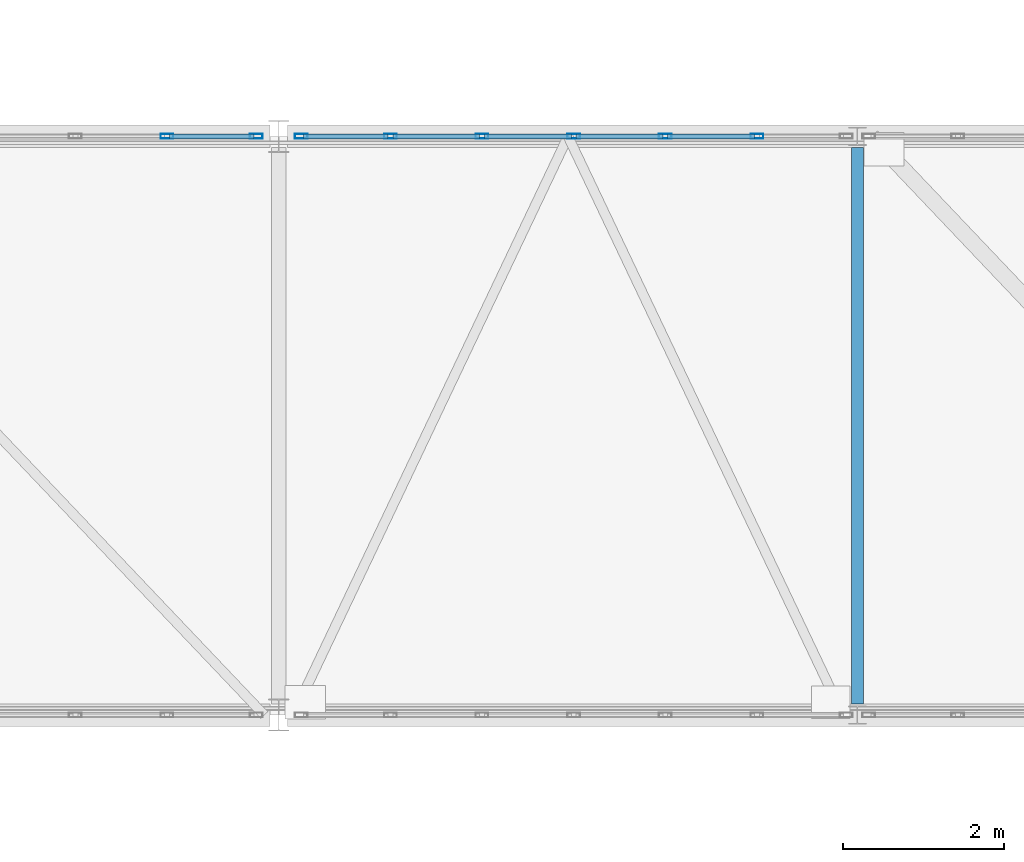
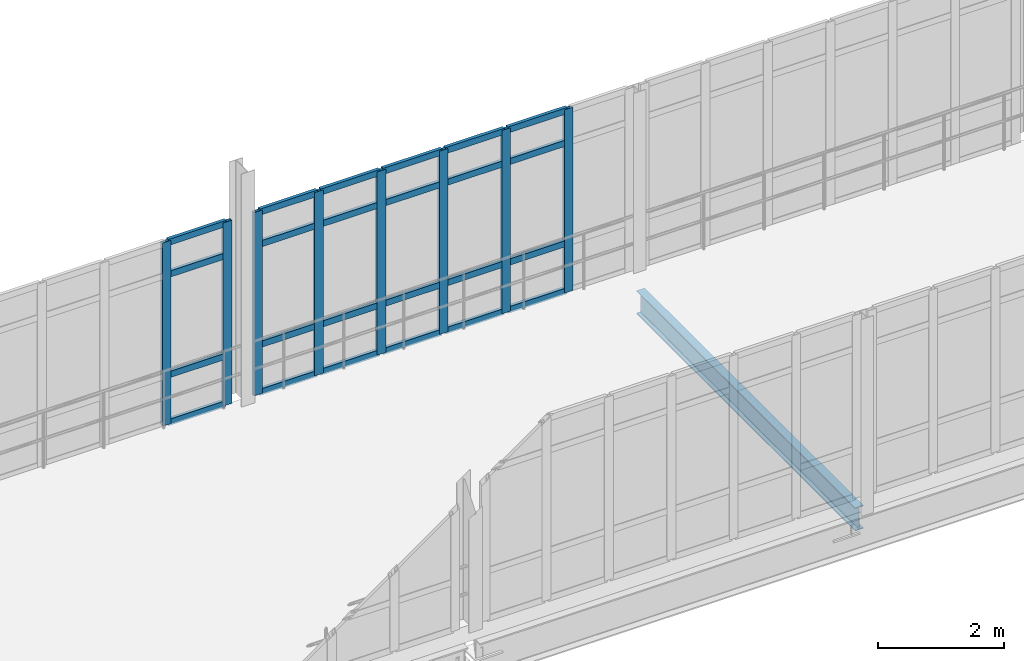
# One storey, part 47 of 116: 32 members, 1 beam, 2 elements without a shape of their own.
"""IFC4 building model written with IfcOpenShell, lengths in metres."""

import ifcopenshell
import ifcopenshell.guid

model = None  # the IFC model being written
_history = None  # IfcOwnerHistory: only IFC2X3 demands one
_inside = {}  # id of a spatial element -> (the spatial element, [elements in it])
_under = {}  # id of a project, library or spatial element -> (it, [spatial elements below it])
_declared = {}  # id of a project -> (the project, [libraries it declares])
_typed = {}  # id of a type object -> (the type object, [elements of that type])
_made_of = {}  # id of a material, layer set ... -> (it, [elements and type objects made of it])


def new_model(schema):
    """Start an empty IFC model of exactly this schema.

    Asked for "IFC4X3", IfcOpenShell would pick the latest addendum, in which some entities
    have other attributes; the version numbers below select the first issue.
    IFC2X3 requires an IfcOwnerHistory on every rooted entity: one is made here for all.
    """
    global model, _history
    if schema == "IFC4X3":
        model = ifcopenshell.file(schema_version=(4, 3, 0, 0))
    else:
        model = ifcopenshell.file(schema=schema)
    _inside.clear()
    _under.clear()
    _declared.clear()
    _typed.clear()
    _made_of.clear()
    _history = None
    if model.schema == "IFC2X3":
        org = make("IfcOrganization", Name="unknown")
        user = make(
            "IfcPersonAndOrganization",
            ThePerson=make("IfcPerson", FamilyName="unknown"),
            TheOrganization=org,
        )
        app = make(
            "IfcApplication",
            ApplicationDeveloper=org,
            Version="unknown",
            ApplicationFullName="unknown",
            ApplicationIdentifier="unknown",
        )
        _history = make(
            "IfcOwnerHistory",
            OwningUser=user,
            OwningApplication=app,
            ChangeAction="ADDED",
            CreationDate=0,
        )
    return model


def make(cls, **values):
    """One entity of the class cls with the attributes given. An attribute that is None is left unset."""
    return model.create_entity(
        cls, **{name: value for name, value in values.items() if value is not None}
    )


def rooted(cls, **values):
    """An entity with a GlobalId (a new one), such as an element, a storey or a relation."""
    return make(cls, GlobalId=ifcopenshell.guid.new(), OwnerHistory=_history, **values)


def si_unit(unit_type, name, prefix=None):
    """IfcSIUnit, for example si_unit("LENGTHUNIT", "METRE", prefix="MILLI")."""
    return make("IfcSIUnit", UnitType=unit_type, Prefix=prefix, Name=name)


def assignment(units):
    """IfcUnitAssignment: the units of a project."""
    return None if units is None else make("IfcUnitAssignment", Units=units)


def point(xyz):
    """IfcCartesianPoint."""
    return None if xyz is None else make("IfcCartesianPoint", Coordinates=xyz)


def direction(xyz):
    """IfcDirection."""
    return None if xyz is None else make("IfcDirection", DirectionRatios=xyz)


def frame(location, z_axis=None, x_axis=None):
    """IfcAxis2Placement3D, a coordinate frame: its origin and axes. An axis left out is left unset."""
    return make(
        "IfcAxis2Placement3D",
        Location=point(location),
        Axis=direction(z_axis),
        RefDirection=direction(x_axis),
    )


def frame_2d(location, x_axis=None):
    """IfcAxis2Placement2D, a coordinate frame in the plane: its origin and x axis."""
    return make(
        "IfcAxis2Placement2D", Location=point(location), RefDirection=direction(x_axis)
    )


def origin():
    """The frame at (0, 0, 0) with its axes left unset."""
    return frame((0.0, 0.0, 0.0))


def origin_2d():
    """The frame at (0, 0) in the plane with its x axis left unset."""
    return frame_2d((0.0, 0.0))


def place(relative_to, where):
    """IfcLocalPlacement: puts the frame where relative to a parent placement (None: the world)."""
    return make(
        "IfcLocalPlacement", PlacementRelTo=relative_to, RelativePlacement=where
    )


def context(
    kind, dimensions, precision=None, world=None, true_north=None, identifier=None
):
    """IfcGeometricRepresentationContext, for example the 3D "Model" context."""
    return make(
        "IfcGeometricRepresentationContext",
        ContextIdentifier=identifier,
        ContextType=kind,
        CoordinateSpaceDimension=dimensions,
        Precision=precision,
        WorldCoordinateSystem=world,
        TrueNorth=true_north,
    )


def subcontext(parent, identifier, kind, view, scale=None):
    """IfcGeometricRepresentationSubContext, for example "Body" below "Model"."""
    return make(
        "IfcGeometricRepresentationSubContext",
        ContextIdentifier=identifier,
        ContextType=kind,
        ParentContext=parent,
        TargetScale=scale,
        TargetView=view,
    )


def project(units=None, contexts=None):
    """IfcProject with its units and contexts."""
    return rooted(
        "IfcProject",
        Name="project",
        RepresentationContexts=contexts,
        UnitsInContext=assignment(units),
    )


def spatial(cls, under=None, at=None, **own):
    """A site, building, storey or space (cls), placed at a placement, below another one or the project."""
    s = rooted(cls, ObjectPlacement=at, **own)
    if under is not None:
        _under.setdefault(under.id(), (under, []))[1].append(s)
    return s


def profile(cls, at=None, kind="AREA", **sizes):
    """A parametric profile (cls). Its sizes go by their IFC names, for example OverallWidth=200.0."""
    return make(cls, ProfileType=kind, Position=at, **sizes)


def hollow_rectangle(**sizes):
    """IfcRectangleHollowProfileDef."""
    return profile("IfcRectangleHollowProfileDef", **sizes)


def i_section(**sizes):
    """IfcIShapeProfileDef."""
    return profile("IfcIShapeProfileDef", **sizes)


def extrude(swept, where, along, depth):
    """IfcExtrudedAreaSolid: the profile swept, set in the frame where, extruded along a direction by depth."""
    return make(
        "IfcExtrudedAreaSolid",
        SweptArea=swept,
        Position=where,
        ExtrudedDirection=direction(along),
        Depth=depth,
    )


def shape(context_of_items, identifier, shape_type, items):
    """IfcShapeRepresentation: the items that make up one representation, for example the "Body"."""
    return make(
        "IfcShapeRepresentation",
        ContextOfItems=context_of_items,
        RepresentationIdentifier=identifier,
        RepresentationType=shape_type,
        Items=items,
    )


def material(Name=None, Category=None):
    """IfcMaterial."""
    return make("IfcMaterial", Name=Name, Category=Category)


def material_profile(
    of_material, cross_section, Name=None, Category=None, Priority=None
):
    """IfcMaterialProfile: a cross section and its material."""
    return make(
        "IfcMaterialProfile",
        Name=Name,
        Material=of_material,
        Profile=cross_section,
        Priority=Priority,
        Category=Category,
    )


def profile_set(profiles, Name=None, composite=None):
    """IfcMaterialProfileSet."""
    return make(
        "IfcMaterialProfileSet",
        Name=Name,
        MaterialProfiles=profiles,
        CompositeProfile=composite,
    )


def made_of(thing, what):
    """Note that an element or type object is made of a material, layer set ...; save() writes the relation."""
    if what is not None:
        _made_of.setdefault(what.id(), (what, []))[1].append(thing)
    return thing


def type_object(cls, material=None, **own):
    """A type object (cls), such as IfcWallType, which elements share."""
    return made_of(rooted(cls, **own), material)


def element(
    cls,
    number,
    at=None,
    inside=None,
    cuts=None,
    type_object=None,
    material=None,
    context=None,
    identifier="Body",
    shape_type=None,
    held_by="IfcProductDefinitionShape",
    body=None,
    shapes=None,
    **own,
):
    """One element of the class cls, such as IfcWall. Its Tag is "e" and its number.

    at: its placement. inside: the storey or other place that contains it. cuts: it is an
    opening in that element (IfcRelVoidsElement). A single representation is given by context,
    identifier, shape_type and body (its items); several are given by shapes. held_by: the class
    of the entity that holds the representations. save() writes the other relations.
    """
    e = rooted(cls, Tag="e%d" % number, ObjectPlacement=at, **own)
    if body is not None:
        shapes = [shape(context, identifier, shape_type, body)]
    if shapes is not None:
        e.Representation = make(held_by, Representations=shapes)
    if inside is not None:
        _inside.setdefault(inside.id(), (inside, []))[1].append(e)
    if cuts is not None:
        rooted(
            "IfcRelVoidsElement", RelatingBuildingElement=cuts, RelatedOpeningElement=e
        )
    if type_object is not None:
        _typed.setdefault(type_object.id(), (type_object, []))[1].append(e)
    return made_of(e, material)


def aggregate(whole, parts):
    """IfcRelAggregates: a whole, such as a stair, and the parts it consists of."""
    return rooted("IfcRelAggregates", RelatingObject=whole, RelatedObjects=parts)


def save(model, path):
    """Write the relations noted so far, then the file.

    IfcRelAggregates (storeys below a building ...), IfcRelContainedInSpatialStructure (elements
    in a storey), IfcRelDefinesByType, IfcRelAssociatesMaterial and IfcRelDeclares: one each for
    every whole, place, type object, material and project.
    """
    for whole, parts in _under.values():
        aggregate(whole, parts)
    for where, things in _inside.values():
        rooted(
            "IfcRelContainedInSpatialStructure",
            RelatedElements=things,
            RelatingStructure=where,
        )
    for kind, things in _typed.values():
        rooted("IfcRelDefinesByType", RelatedObjects=things, RelatingType=kind)
    for what, things in _made_of.values():
        rooted("IfcRelAssociatesMaterial", RelatedObjects=things, RelatingMaterial=what)
    for by, libraries in _declared.values():
        rooted("IfcRelDeclares", RelatingContext=by, RelatedDefinitions=libraries)
    model.write(path)


model = new_model("IFC4")

# Units and contexts
model_context = context("Model", 3, precision=1e-05, world=origin(), true_north=direction((0.0, 1.0)))
body_context = subcontext(model_context, "Body", "Model", "MODEL_VIEW")
ifc_project = project(units=[si_unit("LENGTHUNIT", "METRE"), si_unit("AREAUNIT", "SQUARE_METRE"), si_unit("VOLUMEUNIT", "CUBIC_METRE"), si_unit("PLANEANGLEUNIT", "RADIAN"), si_unit("MASSUNIT", "GRAM", prefix="KILO")], contexts=[model_context])

# Site, building, storey
site_placement = place(None, origin())
site = spatial("IfcSite", under=ifc_project, at=site_placement, CompositionType="ELEMENT")
building_placement = place(site_placement, origin())
building = spatial("IfcBuilding", under=site, at=building_placement, Name="Kalluvel Institute of Natural Sciences", CompositionType="ELEMENT")
storey_placement = place(building_placement, frame((0.0, 0.0, 14.39990234375)))
storey = spatial("IfcBuildingStorey", under=building, at=storey_placement, Name="L03", CompositionType="ELEMENT", Elevation=14.39990234375)

# Beam
ifc_material_1 = material(Name="Steel E350 Grade 350", Category="steel")
ifc_material_profile_1 = material_profile(ifc_material_1, i_section(OverallWidth=0.14990234375, OverallDepth=0.449951171875, WebThickness=0.009521484375, FlangeThickness=0.017333984375, FilletRadius=0.014892578125, at=origin_2d()), Name="ISMB 450")
ifc_profile_set_1 = profile_set([ifc_material_profile_1], Name="Steel E350 Grade 350")
beam_type = type_object("IfcBeamType", Name="BM-ISMB450", PredefinedType="BEAM", material=ifc_profile_set_1)
beam_placement = place(storey_placement, frame((86.0, 28.5400390625, -0.544921875), z_axis=(0.0, 1.0, 0.0), x_axis=(-1.0, 0.0, 0.0)))
element("IfcBeam", 1, at=beam_placement, inside=storey, type_object=beam_type, Name="L03 link bridge cross girder 69", PredefinedType="BEAM", context=body_context, shape_type="SweptSolid", body=[
    extrude(i_section(OverallWidth=0.14990234375, OverallDepth=0.449951171875, WebThickness=0.009521484375, FlangeThickness=0.017333984375, FilletRadius=0.014892578125, at=origin_2d()), origin(), (0.0, 0.0, 1.0), 6.919921875),
])

# Curtain wall, members
ifc_material_2 = material(Name="Aluminium AW-6063 T6", Category="aluminium")
curtain_wall_type = type_object("IfcCurtainWallType", Name="CW-BRG-45", PredefinedType="USERDEFINED", material=ifc_material_2)
curtain_wall_1_placement = place(storey_placement, origin())
curtain_wall_1 = element("IfcCurtainWall", 2, at=curtain_wall_1_placement, inside=storey, type_object=curtain_wall_type, Name="L03 Gothic lancet curtain wall CWA-L03-X717-Y356", ObjectType="UNITISED LANCET FACADE", PredefinedType="USERDEFINED")
ifc_material_profile_2 = material_profile(ifc_material_2, hollow_rectangle(XDim=0.06005859375, YDim=0.159912109375, WallThickness=0.00390625, at=origin_2d()), Name="CWM 60x160")
ifc_profile_set_2 = profile_set([ifc_material_profile_2], Name="Aluminium AW-6063 T6")
member_type_1 = type_object("IfcMemberType", Name="CWM-60x160", PredefinedType="MULLION", material=ifc_profile_set_2)
member_1_placement = place(storey_placement, frame((77.409912109375, 35.60009765625, 0.0), z_axis=(0.0, 0.0, 1.0), x_axis=(0.0, 1.0, 0.0)))
member_1 = element("IfcMember", 3, at=member_1_placement, type_object=member_type_1, Name="CW-07 mullion 6", PredefinedType="MULLION", context=body_context, shape_type="SweptSolid", body=[
    extrude(hollow_rectangle(XDim=0.06005859375, YDim=0.159912109375, WallThickness=0.00390625, at=origin_2d()), origin(), (0.0, 0.0, 1.0), 3.5400390625),
])
member_2_placement = place(storey_placement, frame((78.52001953125, 35.60009765625, 0.0), z_axis=(0.0, 0.0, 1.0), x_axis=(0.0, 1.0, 0.0)))
member_2 = element("IfcMember", 4, at=member_2_placement, type_object=member_type_1, Name="CW-07 mullion 7", PredefinedType="MULLION", context=body_context, shape_type="SweptSolid", body=[
    extrude(hollow_rectangle(XDim=0.06005859375, YDim=0.159912109375, WallThickness=0.00390625, at=origin_2d()), origin(), (0.0, 0.0, 1.0), 3.5400390625),
])

curtain_wall_2_placement = place(storey_placement, origin())
curtain_wall_2 = element("IfcCurtainWall", 5, at=curtain_wall_2_placement, inside=storey, type_object=curtain_wall_type, Name="L03 Gothic lancet curtain wall CWA-L03-X790-Y356", ObjectType="UNITISED LANCET FACADE", PredefinedType="USERDEFINED")
member_3_placement = place(storey_placement, frame((79.080078125, 35.60009765625, 0.0), z_axis=(0.0, 0.0, 1.0), x_axis=(0.0, 1.0, 0.0)))
member_3 = element("IfcMember", 6, at=member_3_placement, type_object=member_type_1, Name="CW-07 mullion 1", PredefinedType="MULLION", context=body_context, shape_type="SweptSolid", body=[
    extrude(hollow_rectangle(XDim=0.06005859375, YDim=0.159912109375, WallThickness=0.00390625, at=origin_2d()), origin(), (0.0, 0.0, 1.0), 3.5400390625),
])
member_4_placement = place(storey_placement, frame((80.18994140625, 35.60009765625, 0.0), z_axis=(0.0, 0.0, 1.0), x_axis=(0.0, 1.0, 0.0)))
member_4 = element("IfcMember", 7, at=member_4_placement, type_object=member_type_1, Name="CW-07 mullion 2", PredefinedType="MULLION", context=body_context, shape_type="SweptSolid", body=[
    extrude(hollow_rectangle(XDim=0.06005859375, YDim=0.159912109375, WallThickness=0.00390625, at=origin_2d()), origin(), (0.0, 0.0, 1.0), 3.5400390625),
])
member_5_placement = place(storey_placement, frame((81.330078125, 35.60009765625, 0.0), z_axis=(0.0, 0.0, 1.0), x_axis=(0.0, 1.0, 0.0)))
member_5 = element("IfcMember", 8, at=member_5_placement, type_object=member_type_1, Name="CW-07 mullion 3", PredefinedType="MULLION", context=body_context, shape_type="SweptSolid", body=[
    extrude(hollow_rectangle(XDim=0.06005859375, YDim=0.159912109375, WallThickness=0.00390625, at=origin_2d()), origin(), (0.0, 0.0, 1.0), 3.5400390625),
])
member_6_placement = place(storey_placement, frame((82.469970703125, 35.60009765625, 0.0), z_axis=(0.0, 0.0, 1.0), x_axis=(0.0, 1.0, 0.0)))
member_6 = element("IfcMember", 9, at=member_6_placement, type_object=member_type_1, Name="CW-07 mullion 4", PredefinedType="MULLION", context=body_context, shape_type="SweptSolid", body=[
    extrude(hollow_rectangle(XDim=0.06005859375, YDim=0.159912109375, WallThickness=0.00390625, at=origin_2d()), origin(), (0.0, 0.0, 1.0), 3.5400390625),
])
member_7_placement = place(storey_placement, frame((83.610107421875, 35.60009765625, 0.0), z_axis=(0.0, 0.0, 1.0), x_axis=(0.0, 1.0, 0.0)))
member_7 = element("IfcMember", 10, at=member_7_placement, type_object=member_type_1, Name="CW-07 mullion 5", PredefinedType="MULLION", context=body_context, shape_type="SweptSolid", body=[
    extrude(hollow_rectangle(XDim=0.06005859375, YDim=0.159912109375, WallThickness=0.00390625, at=origin_2d()), origin(), (0.0, 0.0, 1.0), 3.5400390625),
])
member_8_placement = place(storey_placement, frame((84.75, 35.60009765625, 0.0), z_axis=(0.0, 0.0, 1.0), x_axis=(0.0, 1.0, 0.0)))
member_8 = element("IfcMember", 11, at=member_8_placement, type_object=member_type_1, Name="CW-07 mullion 6", PredefinedType="MULLION", context=body_context, shape_type="SweptSolid", body=[
    extrude(hollow_rectangle(XDim=0.06005859375, YDim=0.159912109375, WallThickness=0.00390625, at=origin_2d()), origin(), (0.0, 0.0, 1.0), 3.5400390625),
])

# Member
ifc_material_profile_3 = material_profile(ifc_material_2, hollow_rectangle(XDim=0.06005859375, YDim=0.1201171875, WallThickness=0.00390625, at=origin_2d()), Name="CWT 60x120")
ifc_profile_set_3 = profile_set([ifc_material_profile_3], Name="Aluminium AW-6063 T6")
member_type_2 = type_object("IfcMemberType", Name="CWT-60x120", PredefinedType="USERDEFINED", material=ifc_profile_set_3)
member_9_placement = place(storey_placement, frame((77.43994140625, 35.60009765625, 0.030029296875), z_axis=(1.0, 0.0, 0.0), x_axis=(0.0, 1.0, 0.0)))
member_9 = element("IfcMember", 12, at=member_9_placement, type_object=member_type_2, Name="CW-07 transom 6.1", ObjectType="TRANSOM", PredefinedType="USERDEFINED", context=body_context, shape_type="SweptSolid", body=[
    extrude(hollow_rectangle(XDim=0.06005859375, YDim=0.1201171875, WallThickness=0.00390625, at=origin_2d()), origin(), (0.0, 0.0, 1.0), 1.050048828125),
])

member_10_placement = place(storey_placement, frame((77.43994140625, 35.60009765625, 0.9501953125), z_axis=(1.0, 0.0, 0.0), x_axis=(0.0, 1.0, 0.0)))
member_10 = element("IfcMember", 13, at=member_10_placement, type_object=member_type_2, Name="CW-07 transom 6.2", ObjectType="TRANSOM", PredefinedType="USERDEFINED", context=body_context, shape_type="SweptSolid", body=[
    extrude(hollow_rectangle(XDim=0.06005859375, YDim=0.1201171875, WallThickness=0.00390625, at=origin_2d()), origin(), (0.0, 0.0, 1.0), 1.050048828125),
])

member_11_placement = place(storey_placement, frame((77.43994140625, 35.60009765625, 2.89013671875), z_axis=(1.0, 0.0, 0.0), x_axis=(0.0, 1.0, 0.0)))
member_11 = element("IfcMember", 14, at=member_11_placement, type_object=member_type_2, Name="CW-07 transom 6.3", ObjectType="TRANSOM", PredefinedType="USERDEFINED", context=body_context, shape_type="SweptSolid", body=[
    extrude(hollow_rectangle(XDim=0.06005859375, YDim=0.1201171875, WallThickness=0.00390625, at=origin_2d()), origin(), (0.0, 0.0, 1.0), 1.050048828125),
])

member_12_placement = place(storey_placement, frame((77.43994140625, 35.60009765625, 3.510009765625), z_axis=(1.0, 0.0, 0.0), x_axis=(0.0, 1.0, 0.0)))
member_12 = element("IfcMember", 15, at=member_12_placement, type_object=member_type_2, Name="CW-07 transom 6.4", ObjectType="TRANSOM", PredefinedType="USERDEFINED", context=body_context, shape_type="SweptSolid", body=[
    extrude(hollow_rectangle(XDim=0.06005859375, YDim=0.1201171875, WallThickness=0.00390625, at=origin_2d()), origin(), (0.0, 0.0, 1.0), 1.050048828125),
])

aggregate(curtain_wall_1, [member_1, member_2, member_9, member_10, member_11, member_12])

member_13_placement = place(storey_placement, frame((79.110107421875, 35.60009765625, 0.030029296875), z_axis=(1.0, 0.0, 0.0), x_axis=(0.0, 1.0, 0.0)))
member_13 = element("IfcMember", 16, at=member_13_placement, type_object=member_type_2, Name="CW-07 transom 1.1", ObjectType="TRANSOM", PredefinedType="USERDEFINED", context=body_context, shape_type="SweptSolid", body=[
    extrude(hollow_rectangle(XDim=0.06005859375, YDim=0.1201171875, WallThickness=0.00390625, at=origin_2d()), origin(), (0.0, 0.0, 1.0), 1.0498046875),
])

member_14_placement = place(storey_placement, frame((79.110107421875, 35.60009765625, 0.9501953125), z_axis=(1.0, 0.0, 0.0), x_axis=(0.0, 1.0, 0.0)))
member_14 = element("IfcMember", 17, at=member_14_placement, type_object=member_type_2, Name="CW-07 transom 1.2", ObjectType="TRANSOM", PredefinedType="USERDEFINED", context=body_context, shape_type="SweptSolid", body=[
    extrude(hollow_rectangle(XDim=0.06005859375, YDim=0.1201171875, WallThickness=0.00390625, at=origin_2d()), origin(), (0.0, 0.0, 1.0), 1.0498046875),
])

member_15_placement = place(storey_placement, frame((79.110107421875, 35.60009765625, 2.89013671875), z_axis=(1.0, 0.0, 0.0), x_axis=(0.0, 1.0, 0.0)))
member_15 = element("IfcMember", 18, at=member_15_placement, type_object=member_type_2, Name="CW-07 transom 1.3", ObjectType="TRANSOM", PredefinedType="USERDEFINED", context=body_context, shape_type="SweptSolid", body=[
    extrude(hollow_rectangle(XDim=0.06005859375, YDim=0.1201171875, WallThickness=0.00390625, at=origin_2d()), origin(), (0.0, 0.0, 1.0), 1.0498046875),
])

member_16_placement = place(storey_placement, frame((79.110107421875, 35.60009765625, 3.510009765625), z_axis=(1.0, 0.0, 0.0), x_axis=(0.0, 1.0, 0.0)))
member_16 = element("IfcMember", 19, at=member_16_placement, type_object=member_type_2, Name="CW-07 transom 1.4", ObjectType="TRANSOM", PredefinedType="USERDEFINED", context=body_context, shape_type="SweptSolid", body=[
    extrude(hollow_rectangle(XDim=0.06005859375, YDim=0.1201171875, WallThickness=0.00390625, at=origin_2d()), origin(), (0.0, 0.0, 1.0), 1.0498046875),
])

member_17_placement = place(storey_placement, frame((80.219970703125, 35.60009765625, 0.030029296875), z_axis=(1.0, 0.0, 0.0), x_axis=(0.0, 1.0, 0.0)))
member_17 = element("IfcMember", 20, at=member_17_placement, type_object=member_type_2, Name="CW-07 transom 2.1", ObjectType="TRANSOM", PredefinedType="USERDEFINED", context=body_context, shape_type="SweptSolid", body=[
    extrude(hollow_rectangle(XDim=0.06005859375, YDim=0.1201171875, WallThickness=0.00390625, at=origin_2d()), origin(), (0.0, 0.0, 1.0), 1.080078125),
])

member_18_placement = place(storey_placement, frame((80.219970703125, 35.60009765625, 0.9501953125), z_axis=(1.0, 0.0, 0.0), x_axis=(0.0, 1.0, 0.0)))
member_18 = element("IfcMember", 21, at=member_18_placement, type_object=member_type_2, Name="CW-07 transom 2.2", ObjectType="TRANSOM", PredefinedType="USERDEFINED", context=body_context, shape_type="SweptSolid", body=[
    extrude(hollow_rectangle(XDim=0.06005859375, YDim=0.1201171875, WallThickness=0.00390625, at=origin_2d()), origin(), (0.0, 0.0, 1.0), 1.080078125),
])

member_19_placement = place(storey_placement, frame((80.219970703125, 35.60009765625, 2.89013671875), z_axis=(1.0, 0.0, 0.0), x_axis=(0.0, 1.0, 0.0)))
member_19 = element("IfcMember", 22, at=member_19_placement, type_object=member_type_2, Name="CW-07 transom 2.3", ObjectType="TRANSOM", PredefinedType="USERDEFINED", context=body_context, shape_type="SweptSolid", body=[
    extrude(hollow_rectangle(XDim=0.06005859375, YDim=0.1201171875, WallThickness=0.00390625, at=origin_2d()), origin(), (0.0, 0.0, 1.0), 1.080078125),
])

member_20_placement = place(storey_placement, frame((80.219970703125, 35.60009765625, 3.510009765625), z_axis=(1.0, 0.0, 0.0), x_axis=(0.0, 1.0, 0.0)))
member_20 = element("IfcMember", 23, at=member_20_placement, type_object=member_type_2, Name="CW-07 transom 2.4", ObjectType="TRANSOM", PredefinedType="USERDEFINED", context=body_context, shape_type="SweptSolid", body=[
    extrude(hollow_rectangle(XDim=0.06005859375, YDim=0.1201171875, WallThickness=0.00390625, at=origin_2d()), origin(), (0.0, 0.0, 1.0), 1.080078125),
])

member_21_placement = place(storey_placement, frame((81.360107421875, 35.60009765625, 0.030029296875), z_axis=(1.0, 0.0, 0.0), x_axis=(0.0, 1.0, 0.0)))
member_21 = element("IfcMember", 24, at=member_21_placement, type_object=member_type_2, Name="CW-07 transom 3.1", ObjectType="TRANSOM", PredefinedType="USERDEFINED", context=body_context, shape_type="SweptSolid", body=[
    extrude(hollow_rectangle(XDim=0.06005859375, YDim=0.1201171875, WallThickness=0.00390625, at=origin_2d()), origin(), (0.0, 0.0, 1.0), 1.079833984375),
])

member_22_placement = place(storey_placement, frame((81.360107421875, 35.60009765625, 0.9501953125), z_axis=(1.0, 0.0, 0.0), x_axis=(0.0, 1.0, 0.0)))
member_22 = element("IfcMember", 25, at=member_22_placement, type_object=member_type_2, Name="CW-07 transom 3.2", ObjectType="TRANSOM", PredefinedType="USERDEFINED", context=body_context, shape_type="SweptSolid", body=[
    extrude(hollow_rectangle(XDim=0.06005859375, YDim=0.1201171875, WallThickness=0.00390625, at=origin_2d()), origin(), (0.0, 0.0, 1.0), 1.079833984375),
])

member_23_placement = place(storey_placement, frame((81.360107421875, 35.60009765625, 2.89013671875), z_axis=(1.0, 0.0, 0.0), x_axis=(0.0, 1.0, 0.0)))
member_23 = element("IfcMember", 26, at=member_23_placement, type_object=member_type_2, Name="CW-07 transom 3.3", ObjectType="TRANSOM", PredefinedType="USERDEFINED", context=body_context, shape_type="SweptSolid", body=[
    extrude(hollow_rectangle(XDim=0.06005859375, YDim=0.1201171875, WallThickness=0.00390625, at=origin_2d()), origin(), (0.0, 0.0, 1.0), 1.079833984375),
])

member_24_placement = place(storey_placement, frame((81.360107421875, 35.60009765625, 3.510009765625), z_axis=(1.0, 0.0, 0.0), x_axis=(0.0, 1.0, 0.0)))
member_24 = element("IfcMember", 27, at=member_24_placement, type_object=member_type_2, Name="CW-07 transom 3.4", ObjectType="TRANSOM", PredefinedType="USERDEFINED", context=body_context, shape_type="SweptSolid", body=[
    extrude(hollow_rectangle(XDim=0.06005859375, YDim=0.1201171875, WallThickness=0.00390625, at=origin_2d()), origin(), (0.0, 0.0, 1.0), 1.079833984375),
])

member_25_placement = place(storey_placement, frame((82.5, 35.60009765625, 0.030029296875), z_axis=(1.0, 0.0, 0.0), x_axis=(0.0, 1.0, 0.0)))
member_25 = element("IfcMember", 28, at=member_25_placement, type_object=member_type_2, Name="CW-07 transom 4.1", ObjectType="TRANSOM", PredefinedType="USERDEFINED", context=body_context, shape_type="SweptSolid", body=[
    extrude(hollow_rectangle(XDim=0.06005859375, YDim=0.1201171875, WallThickness=0.00390625, at=origin_2d()), origin(), (0.0, 0.0, 1.0), 1.080078125),
])

member_26_placement = place(storey_placement, frame((82.5, 35.60009765625, 0.9501953125), z_axis=(1.0, 0.0, 0.0), x_axis=(0.0, 1.0, 0.0)))
member_26 = element("IfcMember", 29, at=member_26_placement, type_object=member_type_2, Name="CW-07 transom 4.2", ObjectType="TRANSOM", PredefinedType="USERDEFINED", context=body_context, shape_type="SweptSolid", body=[
    extrude(hollow_rectangle(XDim=0.06005859375, YDim=0.1201171875, WallThickness=0.00390625, at=origin_2d()), origin(), (0.0, 0.0, 1.0), 1.080078125),
])

member_27_placement = place(storey_placement, frame((82.5, 35.60009765625, 2.89013671875), z_axis=(1.0, 0.0, 0.0), x_axis=(0.0, 1.0, 0.0)))
member_27 = element("IfcMember", 30, at=member_27_placement, type_object=member_type_2, Name="CW-07 transom 4.3", ObjectType="TRANSOM", PredefinedType="USERDEFINED", context=body_context, shape_type="SweptSolid", body=[
    extrude(hollow_rectangle(XDim=0.06005859375, YDim=0.1201171875, WallThickness=0.00390625, at=origin_2d()), origin(), (0.0, 0.0, 1.0), 1.080078125),
])

member_28_placement = place(storey_placement, frame((82.5, 35.60009765625, 3.510009765625), z_axis=(1.0, 0.0, 0.0), x_axis=(0.0, 1.0, 0.0)))
member_28 = element("IfcMember", 31, at=member_28_placement, type_object=member_type_2, Name="CW-07 transom 4.4", ObjectType="TRANSOM", PredefinedType="USERDEFINED", context=body_context, shape_type="SweptSolid", body=[
    extrude(hollow_rectangle(XDim=0.06005859375, YDim=0.1201171875, WallThickness=0.00390625, at=origin_2d()), origin(), (0.0, 0.0, 1.0), 1.080078125),
])

member_29_placement = place(storey_placement, frame((83.639892578125, 35.60009765625, 0.030029296875), z_axis=(1.0, 0.0, 0.0), x_axis=(0.0, 1.0, 0.0)))
member_29 = element("IfcMember", 32, at=member_29_placement, type_object=member_type_2, Name="CW-07 transom 5.1", ObjectType="TRANSOM", PredefinedType="USERDEFINED", context=body_context, shape_type="SweptSolid", body=[
    extrude(hollow_rectangle(XDim=0.06005859375, YDim=0.1201171875, WallThickness=0.00390625, at=origin_2d()), origin(), (0.0, 0.0, 1.0), 1.080078125),
])

member_30_placement = place(storey_placement, frame((83.639892578125, 35.60009765625, 0.9501953125), z_axis=(1.0, 0.0, 0.0), x_axis=(0.0, 1.0, 0.0)))
member_30 = element("IfcMember", 33, at=member_30_placement, type_object=member_type_2, Name="CW-07 transom 5.2", ObjectType="TRANSOM", PredefinedType="USERDEFINED", context=body_context, shape_type="SweptSolid", body=[
    extrude(hollow_rectangle(XDim=0.06005859375, YDim=0.1201171875, WallThickness=0.00390625, at=origin_2d()), origin(), (0.0, 0.0, 1.0), 1.080078125),
])

member_31_placement = place(storey_placement, frame((83.639892578125, 35.60009765625, 2.89013671875), z_axis=(1.0, 0.0, 0.0), x_axis=(0.0, 1.0, 0.0)))
member_31 = element("IfcMember", 34, at=member_31_placement, type_object=member_type_2, Name="CW-07 transom 5.3", ObjectType="TRANSOM", PredefinedType="USERDEFINED", context=body_context, shape_type="SweptSolid", body=[
    extrude(hollow_rectangle(XDim=0.06005859375, YDim=0.1201171875, WallThickness=0.00390625, at=origin_2d()), origin(), (0.0, 0.0, 1.0), 1.080078125),
])

member_32_placement = place(storey_placement, frame((83.639892578125, 35.60009765625, 3.510009765625), z_axis=(1.0, 0.0, 0.0), x_axis=(0.0, 1.0, 0.0)))
member_32 = element("IfcMember", 35, at=member_32_placement, type_object=member_type_2, Name="CW-07 transom 5.4", ObjectType="TRANSOM", PredefinedType="USERDEFINED", context=body_context, shape_type="SweptSolid", body=[
    extrude(hollow_rectangle(XDim=0.06005859375, YDim=0.1201171875, WallThickness=0.00390625, at=origin_2d()), origin(), (0.0, 0.0, 1.0), 1.080078125),
])

aggregate(curtain_wall_2, [member_3, member_4, member_5, member_6, member_7, member_8, member_13, member_14, member_15, member_16, member_17, member_18, member_19, member_20, member_21, member_22, member_23, member_24, member_25, member_26, member_27, member_28, member_29, member_30, member_31, member_32])

save(model, "model.ifc")
